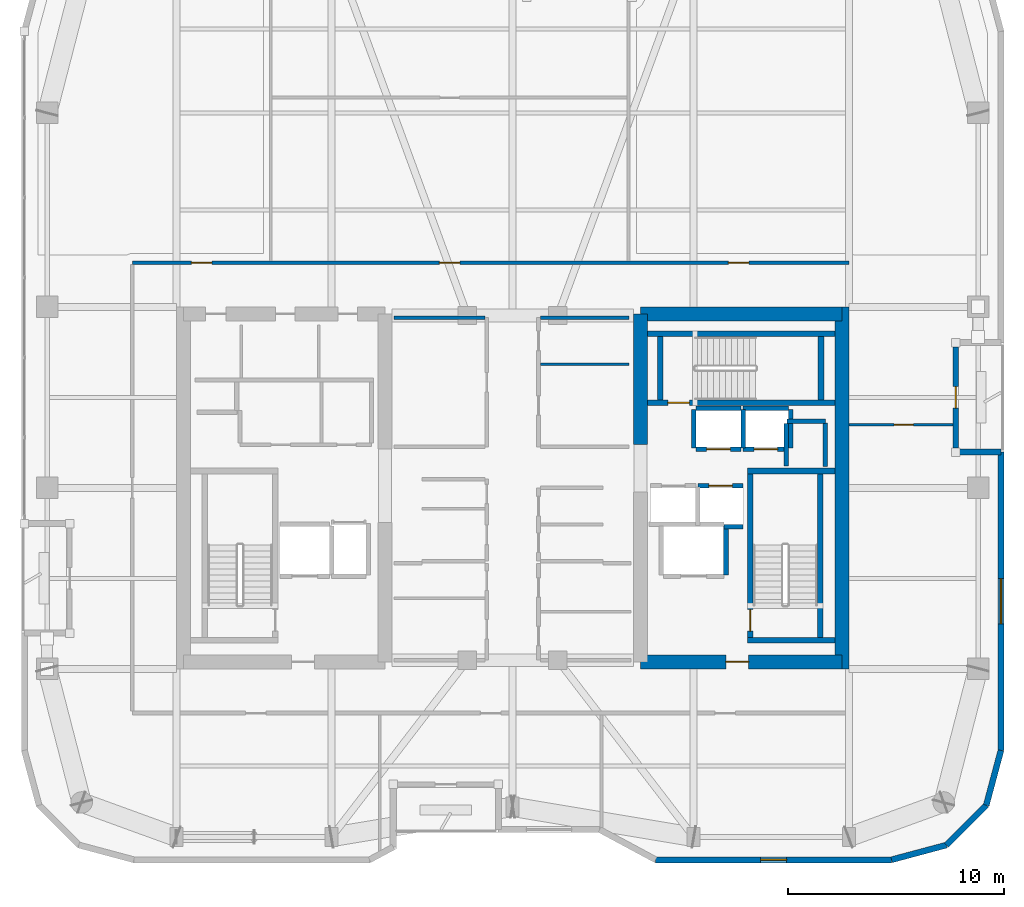
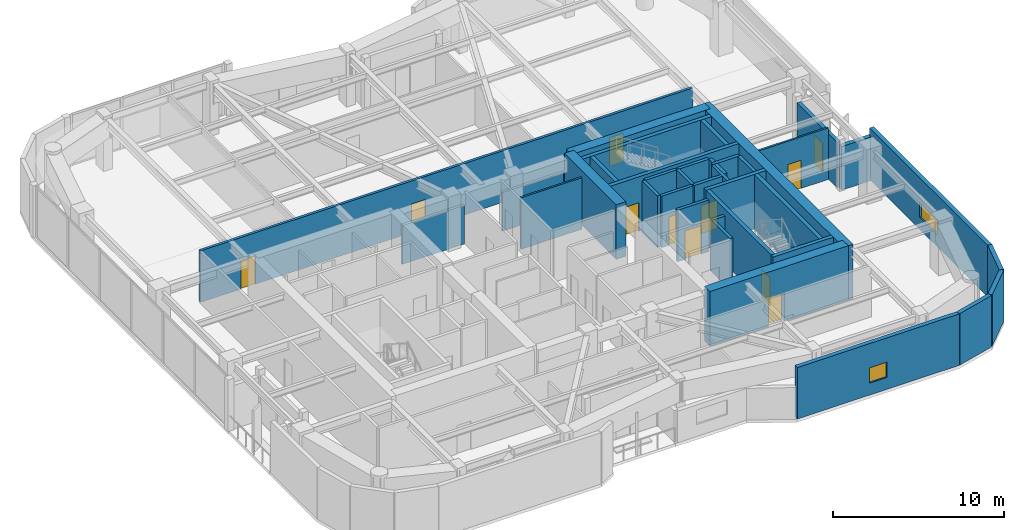
# One storey, part 17 of 21: 37 walls, 11 doors, 2 windows, 13 openings.
"""IFC4 building model written with IfcOpenShell, lengths in metres."""

from ifc_helpers import new_model, si_unit, direction, frame, frame_2d, origin, place, context, subcontext, project, spatial, rectangle, extrude, material, layer, layer_set, type_object, element, fill, save


model = new_model("IFC4")

# Units and contexts
model_context = context("Model", 3, precision=1e-05, world=origin(), true_north=direction((0.0, 1.0)))
body_context = subcontext(model_context, "Body", "Model", "MODEL_VIEW")
ifc_project = project(units=[si_unit("LENGTHUNIT", "METRE"), si_unit("AREAUNIT", "SQUARE_METRE"), si_unit("VOLUMEUNIT", "CUBIC_METRE"), si_unit("PLANEANGLEUNIT", "RADIAN"), si_unit("MASSUNIT", "GRAM", prefix="KILO")], contexts=[model_context])

# Site, building, storey
site_placement = place(None, origin())
site = spatial("IfcSite", under=ifc_project, at=site_placement, CompositionType="ELEMENT")
building_placement = place(site_placement, origin())
building = spatial("IfcBuilding", under=site, at=building_placement, Name="Kiyonajd Concourse Tower", CompositionType="ELEMENT")
storey_placement = place(building_placement, frame((0.0, 0.0, 231.0)))
storey = spatial("IfcBuildingStorey", under=building, at=storey_placement, Name="L58", CompositionType="ELEMENT", Elevation=231.0)

# Walls
ifc_material_1 = material(Name="Concrete C60/75", Category="concrete")
ifc_layer_1 = layer(ifc_material_1, 0.64990234375)
ifc_layer_set_1 = layer_set([ifc_layer_1], Name="Concrete C60/75")
wall_type_1 = type_object("IfcWallType", Name="WL-CORE-650", PredefinedType="SHEAR", material=ifc_layer_set_1)
wall_1_placement = place(storey_placement, frame((53.925048828125, 38.0, 0.0), z_axis=(0.0, 0.0, 1.0), x_axis=(0.0, 1.0, 0.0)))
element("IfcWall", 1, at=wall_1_placement, inside=storey, type_object=wall_type_1, Name="L58 East Core Inner North Shear Wall", PredefinedType="SHEAR", context=body_context, shape_type="SweptSolid", body=[
    extrude(rectangle(XDim=6.074951171875, YDim=0.64990234375, at=frame_2d((3.03759765625, 0.0))), origin(), (0.0, 0.0, 1.0), 3.89990234375),
])
wall_2_placement = place(storey_placement, frame((63.27490234375, 27.60009765625, 0.0), z_axis=(0.0, 0.0, 1.0), x_axis=(0.0, 1.0, 0.0)))
element("IfcWall", 2, at=wall_2_placement, inside=storey, type_object=wall_type_1, Name="L58 East Core Outer Shear Wall", PredefinedType="SHEAR", context=body_context, shape_type="SweptSolid", body=[
    extrude(rectangle(XDim=16.7998046875, YDim=0.64990234375, at=frame_2d((8.39990234375, 0.0))), origin(), (0.0, 0.0, 1.0), 3.89990234375),
])

# Wall, opening, door
wall_3_placement = place(storey_placement, frame((53.925048828125, 27.925048828125, 0.0), z_axis=(0.0, 0.0, 1.0), x_axis=(1.0, 0.0, 0.0)))
wall_3 = element("IfcWall", 3, at=wall_3_placement, inside=storey, type_object=wall_type_1, Name="L58 East Core South Shear Wall", PredefinedType="SHEAR", context=body_context, shape_type="SweptSolid", body=[
    extrude(rectangle(XDim=9.349853515625, YDim=0.64990234375, at=frame_2d((4.6748046875, 0.0))), origin(), (0.0, 0.0, 1.0), 3.89990234375),
])
opening_1_placement = place(wall_3_placement, frame((3.97509765625, 0.0, 0.0)))
opening_1 = element("IfcOpeningElement", 4, at=opening_1_placement, cuts=wall_3, Name="Opening DF5", PredefinedType="OPENING", context=body_context, shape_type="SweptSolid", body=[
    extrude(rectangle(XDim=1.050048828125, YDim=2.0400390625, at=frame_2d((0.52490234375, 1.02001953125))), frame((0.0, 0.3349609375, 0.0), z_axis=(0.0, -1.0, 0.0), x_axis=(1.0, 0.0, 0.0)), (0.0, 0.0, 1.0), 0.669921875),
])
ifc_material_2 = material(Name="Brushed Stainless Steel Cab Assembly", Category="steel")
door_type_1 = type_object("IfcDoorType", Name="DR-FD45-1050", OperationType="NOTDEFINED", PredefinedType="DOOR", material=ifc_material_2)
door_1_placement = place(opening_1_placement, origin())
door_1 = element("IfcDoor", 5, at=door_1_placement, inside=storey, type_object=door_type_1, Name="L58 Firefighting Lift Lobby E Smoke Door", OperationType="SINGLE_SWING_RIGHT", OverallHeight=2.0400390625, OverallWidth=1.050048828125, PredefinedType="DOOR", context=body_context, shape_type="SweptSolid", body=[
    extrude(rectangle(XDim=1.050048828125, YDim=2.0400390625, at=frame_2d((0.52490234375, 1.02001953125))), frame((0.0, 0.02490234375, 0.0), z_axis=(0.0, -1.0, 0.0), x_axis=(1.0, 0.0, 0.0)), (0.0, 0.0, 1.0), 0.050048828125),
])
fill(opening_1, door_1)

# Walls
wall_4_placement = place(storey_placement, frame((53.925048828125, 44.074951171875, 0.0), z_axis=(0.0, 0.0, 1.0), x_axis=(1.0, 0.0, 0.0)))
element("IfcWall", 6, at=wall_4_placement, inside=storey, type_object=wall_type_1, Name="L58 East Core North Shear Wall", PredefinedType="SHEAR", context=body_context, shape_type="SweptSolid", body=[
    extrude(rectangle(XDim=9.349853515625, YDim=0.64990234375, at=frame_2d((4.6748046875, 0.0))), origin(), (0.0, 0.0, 1.0), 3.89990234375),
])
ifc_material_3 = material(Name="Precast concrete C50/60", Category="concrete")
ifc_layer_2 = layer(ifc_material_3, 0.280029296875)
ifc_layer_set_2 = layer_set([ifc_layer_2], Name="Precast concrete C50/60")
wall_type_2 = type_object("IfcWallType", Name="WL-EXT-280", PredefinedType="SOLIDWALL", material=ifc_layer_set_2)
wall_5_placement = place(storey_placement, frame((68.56005859375, 37.659912109375, 0.0), z_axis=(0.0, 0.0, 1.0), x_axis=(1.0, 0.0, 0.0)))
element("IfcWall", 7, at=wall_5_placement, inside=storey, type_object=wall_type_2, Name="L58 Exterior Concrete Frame Wall 23", PredefinedType="SOLIDWALL", context=body_context, shape_type="SweptSolid", body=[
    extrude(rectangle(XDim=2.099853515625, YDim=0.280029296875, at=frame_2d((1.0498046875, 0.0))), origin(), (0.0, 0.0, 1.0), 3.115966796875),
])

# Wall, opening, window
wall_6_placement = place(storey_placement, frame((70.659912109375, 37.659912109375, 0.0), z_axis=(0.0, 0.0, 1.0), x_axis=(0.0, -1.0, 0.0)))
wall_6 = element("IfcWall", 8, at=wall_6_placement, inside=storey, type_object=wall_type_2, Name="L58 Exterior Concrete Frame Wall 24", PredefinedType="SOLIDWALL", context=body_context, shape_type="SweptSolid", body=[
    extrude(rectangle(XDim=13.841552734375, YDim=0.280029296875, at=frame_2d((6.9208984375, 0.0))), origin(), (0.0, 0.0, 1.0), 3.679931640625),
])
opening_2_placement = place(wall_6_placement, frame((5.87109375, 0.0, 0.85009765625)))
opening_2 = element("IfcOpeningElement", 9, at=opening_2_placement, cuts=wall_6, Name="Opening WN5", PredefinedType="OPENING", context=body_context, shape_type="SweptSolid", body=[
    extrude(rectangle(XDim=2.10009765625, YDim=1.050048828125, at=frame_2d((1.050048828125, 0.52490234375))), frame((0.0, 0.14990234375, 0.0), z_axis=(0.0, -1.0, 0.0), x_axis=(1.0, 0.0, 0.0)), (0.0, 0.0, 1.0), 0.300048828125),
])
ifc_material_4 = material(Name="Double Low-E Insulated Glass", Category="glass")
window_type_1 = type_object("IfcWindowType", Name="WN-VIS-2100x1050", PartitioningType="SINGLE_PANEL", PredefinedType="WINDOW", material=ifc_material_4)
window_1_placement = place(opening_2_placement, origin())
window_1 = element("IfcWindow", 10, at=window_1_placement, inside=storey, type_object=window_type_1, Name="L58 Modular Facade Vision Window 24", OverallHeight=1.050048828125, OverallWidth=2.10009765625, PartitioningType="SINGLE_PANEL", PredefinedType="WINDOW", context=body_context, shape_type="SweptSolid", body=[
    extrude(rectangle(XDim=2.10009765625, YDim=1.050048828125, at=frame_2d((1.050048828125, 0.52490234375))), frame((0.0, 0.030029296875, 0.0), z_axis=(0.0, -1.0, 0.0), x_axis=(1.0, 0.0, 0.0)), (0.0, 0.0, 1.0), 0.06005859375),
])
fill(opening_2, window_1)

# Walls
wall_7_placement = place(storey_placement, frame((70.659912109375, 23.818359375, 0.0), z_axis=(0.0, 0.0, 1.0), x_axis=(-0.2588904131, -0.965906700466, 0.0)))
element("IfcWall", 11, at=wall_7_placement, inside=storey, type_object=wall_type_2, Name="L58 Exterior Concrete Frame Wall 25", PredefinedType="SOLIDWALL", context=body_context, shape_type="SweptSolid", body=[
    extrude(rectangle(XDim=2.6357421875, YDim=0.280029296875, at=frame_2d((1.31787109375, 0.0))), origin(), (0.0, 0.0, 1.0), 3.679931640625),
])
wall_8_placement = place(storey_placement, frame((69.9775390625, 21.2724609375, 0.0), z_axis=(0.0, 0.0, 1.0), x_axis=(-0.707153437963, -0.707060121331, 0.0)))
element("IfcWall", 12, at=wall_8_placement, inside=storey, type_object=wall_type_2, Name="L58 Exterior Concrete Frame Wall 26", PredefinedType="SOLIDWALL", context=body_context, shape_type="SweptSolid", body=[
    extrude(rectangle(XDim=2.6162109375, YDim=0.280029296875, at=frame_2d((1.30810546875, 0.0))), origin(), (0.0, 0.0, 1.0), 3.679931640625),
])
wall_9_placement = place(storey_placement, frame((68.12744140625, 19.422607421875, 0.0), z_axis=(0.0, 0.0, 1.0), x_axis=(-0.965883534663, -0.258976828051, 0.0)))
element("IfcWall", 13, at=wall_9_placement, inside=storey, type_object=wall_type_2, Name="L58 Exterior Concrete Frame Wall 27", PredefinedType="SOLIDWALL", context=body_context, shape_type="SweptSolid", body=[
    extrude(rectangle(XDim=2.6357421875, YDim=0.280029296875, at=frame_2d((1.31787109375, 0.0))), origin(), (0.0, 0.0, 1.0), 3.679931640625),
])

# Wall, opening, window
wall_10_placement = place(storey_placement, frame((65.58154296875, 18.739990234375, 0.0), z_axis=(0.0, 0.0, 1.0), x_axis=(-1.0, 0.0, 0.0)))
wall_10 = element("IfcWall", 14, at=wall_10_placement, inside=storey, type_object=wall_type_2, Name="L58 Exterior Concrete Frame Wall 28", PredefinedType="SOLIDWALL", context=body_context, shape_type="SweptSolid", body=[
    extrude(rectangle(XDim=10.9462890625, YDim=0.280029296875, at=frame_2d((5.47314453125, 0.0))), origin(), (0.0, 0.0, 1.0), 3.679931640625),
])
opening_3_placement = place(wall_10_placement, frame((4.873046875, 0.0, 0.85009765625)))
opening_3 = element("IfcOpeningElement", 15, at=opening_3_placement, cuts=wall_10, Name="Opening WN3", PredefinedType="OPENING", context=body_context, shape_type="SweptSolid", body=[
    extrude(rectangle(XDim=1.199951171875, YDim=1.10009765625, at=frame_2d((0.60009765625, 0.550048828125))), frame((0.0, 0.14990234375, 0.0), z_axis=(0.0, -1.0, 0.0), x_axis=(1.0, 0.0, 0.0)), (0.0, 0.0, 1.0), 0.300048828125),
])
window_type_2 = type_object("IfcWindowType", Name="WN-VIS-1200x1100", PartitioningType="SINGLE_PANEL", PredefinedType="WINDOW", material=ifc_material_4)
window_2_placement = place(opening_3_placement, origin())
window_2 = element("IfcWindow", 16, at=window_2_placement, inside=storey, type_object=window_type_2, Name="L58 Modular Facade Vision Window 28", OverallHeight=1.10009765625, OverallWidth=1.199951171875, PartitioningType="SINGLE_PANEL", PredefinedType="WINDOW", context=body_context, shape_type="SweptSolid", body=[
    extrude(rectangle(XDim=1.199951171875, YDim=1.10009765625, at=frame_2d((0.60009765625, 0.550048828125))), frame((0.0, 0.030029296875, 0.0), z_axis=(0.0, -1.0, 0.0), x_axis=(1.0, 0.0, 0.0)), (0.0, 0.0, 1.0), 0.06005859375),
])
fill(opening_3, window_2)

# Wall, opening, door
ifc_layer_3 = layer(ifc_material_3, 0.239990234375)
ifc_layer_set_3 = layer_set([ifc_layer_3], Name="Precast concrete C50/60")
wall_type_3 = type_object("IfcWallType", Name="WL-LOG-240", PredefinedType="SOLIDWALL", material=ifc_layer_set_3)
wall_11_placement = place(storey_placement, frame((68.56005859375, 42.544921875, 0.0), z_axis=(0.0, 0.0, 1.0), x_axis=(0.0, -1.0, 0.0)))
wall_11 = element("IfcWall", 17, at=wall_11_placement, inside=storey, type_object=wall_type_3, Name="L58 Recessed Loggia Thermal Wall LOG-E", PredefinedType="SOLIDWALL", context=body_context, shape_type="SweptSolid", body=[
    extrude(rectangle(XDim=4.68994140625, YDim=0.239990234375, at=frame_2d((2.344970703125, 0.0))), origin(), (0.0, 0.0, 1.0), 3.248046875),
])
opening_4_placement = place(wall_11_placement, frame((1.844970703125, 0.0, 0.0)))
opening_4 = element("IfcOpeningElement", 18, at=opening_4_placement, cuts=wall_11, Name="Opening DL1", PredefinedType="OPENING", context=body_context, shape_type="SweptSolid", body=[
    extrude(rectangle(XDim=1.0, YDim=2.02001953125, at=frame_2d((0.5, 1.010009765625))), frame((0.0, 0.1298828125, 0.0), z_axis=(0.0, -1.0, 0.0), x_axis=(1.0, 0.0, 0.0)), (0.0, 0.0, 1.0), 0.260009765625),
])
ifc_material_5 = material(Name="Thermally Broken Anodised Aluminium", Category="aluminium")
door_type_2 = type_object("IfcDoorType", Name="DR-LOG-1000", OperationType="NOTDEFINED", PredefinedType="DOOR", material=ifc_material_5)
door_2_placement = place(opening_4_placement, origin())
door_2 = element("IfcDoor", 19, at=door_2_placement, inside=storey, type_object=door_type_2, Name="L58 Engawa Loggia Access Door LOG-E", OperationType="SINGLE_SWING_LEFT", OverallHeight=2.02001953125, OverallWidth=1.0, PredefinedType="DOOR", context=body_context, shape_type="SweptSolid", body=[
    extrude(rectangle(XDim=1.0, YDim=2.02001953125, at=frame_2d((0.5, 1.010009765625))), frame((0.0, 0.02490234375, 0.0), z_axis=(0.0, -1.0, 0.0), x_axis=(1.0, 0.0, 0.0)), (0.0, 0.0, 1.0), 0.050048828125),
])
fill(opening_4, door_2)

# Wall
ifc_material_6 = material(Name="Gypsum Board on Cold-Formed Steel Stud", Category="steel")
ifc_layer_4 = layer(ifc_material_6, 0.125)
ifc_layer_set_4 = layer_set([ifc_layer_4], Name="Gypsum Board on Cold-Formed Steel Stud")
wall_type_4 = type_object("IfcWallType", Name="WL-PART-125", PredefinedType="PARTITIONING", material=ifc_layer_set_4)
wall_12_placement = place(storey_placement, frame((49.287109375, 41.739990234375, 0.0), z_axis=(0.0, 0.0, 1.0), x_axis=(1.0, 0.0, 0.0)))
element("IfcWall", 20, at=wall_12_placement, inside=storey, type_object=wall_type_4, Name="L58 Interior Partition Wall", PredefinedType="PARTITIONING", context=body_context, shape_type="SweptSolid", body=[
    extrude(rectangle(XDim=4.11279296875, YDim=0.125, at=frame_2d((2.056396484375, 0.0))), origin(), (0.0, 0.0, 1.0), 3.679931640625),
])

# Wall, opening, door
wall_13_placement = place(storey_placement, frame((63.60009765625, 38.929931640625, 0.0), z_axis=(0.0, 0.0, 1.0), x_axis=(1.0, 0.0, 0.0)))
wall_13 = element("IfcWall", 21, at=wall_13_placement, inside=storey, type_object=wall_type_4, Name="L58 Interior Partition Wall", PredefinedType="PARTITIONING", context=body_context, shape_type="SweptSolid", body=[
    extrude(rectangle(XDim=4.844970703125, YDim=0.125, at=frame_2d((2.42236328125, 0.0))), origin(), (0.0, 0.0, 1.0), 3.679931640625),
])
opening_5_placement = place(wall_13_placement, frame((2.10009765625, 0.0, 0.0)))
opening_5 = element("IfcOpeningElement", 22, at=opening_5_placement, cuts=wall_13, Name="Opening DI2", PredefinedType="OPENING", context=body_context, shape_type="SweptSolid", body=[
    extrude(rectangle(XDim=0.89990234375, YDim=2.02001953125, at=frame_2d((0.449951171875, 1.010009765625))), frame((0.0, 0.072509765625, 0.0), z_axis=(0.0, -1.0, 0.0), x_axis=(1.0, 0.0, 0.0)), (0.0, 0.0, 1.0), 0.14501953125),
])
ifc_material_7 = material(Name="Natural Oak Acoustic Timber Veneer", Category="wood")
door_type_3 = type_object("IfcDoorType", Name="DR-INT-900", OperationType="NOTDEFINED", PredefinedType="DOOR", material=ifc_material_7)
door_3_placement = place(opening_5_placement, origin())
door_3 = element("IfcDoor", 23, at=door_3_placement, inside=storey, type_object=door_type_3, Name="L58 Interior Door", OperationType="SINGLE_SWING_LEFT", OverallHeight=2.02001953125, OverallWidth=0.89990234375, PredefinedType="DOOR", context=body_context, shape_type="SweptSolid", body=[
    extrude(rectangle(XDim=0.89990234375, YDim=2.02001953125, at=frame_2d((0.449951171875, 1.010009765625))), frame((0.0, 0.02490234375, 0.0), z_axis=(0.0, -1.0, 0.0), x_axis=(1.0, 0.0, 0.0)), (0.0, 0.0, 1.0), 0.050048828125),
])
fill(opening_5, door_3)

# Walls
ifc_layer_5 = layer(ifc_material_6, 0.2099609375)
ifc_layer_set_5 = layer_set([ifc_layer_5], Name="Gypsum Board on Cold-Formed Steel Stud")
wall_type_5 = type_object("IfcWallType", Name="WL-SHAFT-210", PredefinedType="PARTITIONING", material=ifc_layer_set_5)
wall_14_placement = place(storey_placement, frame((60.719970703125, 39.10009765625, 0.0), z_axis=(0.0, 0.0, 1.0), x_axis=(1.0, 0.0, 0.0)))
element("IfcWall", 24, at=wall_14_placement, inside=storey, type_object=wall_type_5, Name="L58 Shaft Enclosure Wall", PredefinedType="PARTITIONING", context=body_context, shape_type="SweptSolid", body=[
    extrude(rectangle(XDim=1.800048828125, YDim=0.2099609375, at=frame_2d((0.89990234375, 0.0))), origin(), (0.0, 0.0, 1.0), 3.679931640625),
])
wall_15_placement = place(storey_placement, frame((60.699951171875, 37.02001953125, 0.0), z_axis=(0.0, 0.0, 1.0), x_axis=(0.0, 1.0, 0.0)))
element("IfcWall", 25, at=wall_15_placement, inside=storey, type_object=wall_type_5, Name="L58 Shaft Enclosure Wall", PredefinedType="PARTITIONING", context=body_context, shape_type="SweptSolid", body=[
    extrude(rectangle(XDim=1.9599609375, YDim=0.2099609375, at=frame_2d((0.97998046875, 0.0))), origin(), (0.0, 0.0, 1.0), 3.679931640625),
])
wall_16_placement = place(storey_placement, frame((62.5, 36.97998046875, 0.0), z_axis=(0.0, 0.0, 1.0), x_axis=(0.0, 1.0, 0.0)))
element("IfcWall", 26, at=wall_16_placement, inside=storey, type_object=wall_type_5, Name="L58 Shaft Enclosure Wall", PredefinedType="PARTITIONING", context=body_context, shape_type="SweptSolid", body=[
    extrude(rectangle(XDim=2.0400390625, YDim=0.2099609375, at=frame_2d((1.02001953125, 0.0))), origin(), (0.0, 0.0, 1.0), 3.679931640625),
])
wall_17_placement = place(storey_placement, frame((57.89990234375, 31.9599609375, 0.0), z_axis=(0.0, 0.0, 1.0), x_axis=(0.0, 1.0, 0.0)))
element("IfcWall", 27, at=wall_17_placement, inside=storey, type_object=wall_type_5, Name="L58 Shaft Enclosure Wall", PredefinedType="PARTITIONING", context=body_context, shape_type="SweptSolid", body=[
    extrude(rectangle(XDim=2.280029296875, YDim=0.2099609375, at=frame_2d((1.14013671875, 0.0))), origin(), (0.0, 0.0, 1.0), 3.679931640625),
])

# Wall, opening, door
wall_18_placement = place(storey_placement, frame((56.60009765625, 36.10009765625, 0.0), z_axis=(0.0, 0.0, 1.0), x_axis=(1.0, 0.0, 0.0)))
wall_18 = element("IfcWall", 28, at=wall_18_placement, inside=storey, type_object=wall_type_5, Name="L58 Shaft Enclosure Wall", PredefinedType="PARTITIONING", context=body_context, shape_type="SweptSolid", body=[
    extrude(rectangle(XDim=2.099853515625, YDim=0.2099609375, at=frame_2d((1.0498046875, 0.0))), origin(), (0.0, 0.0, 1.0), 3.679931640625),
])
opening_6_placement = place(wall_18_placement, frame((0.5, 0.0, 0.0)))
opening_6 = element("IfcOpeningElement", 29, at=opening_6_placement, cuts=wall_18, Name="Opening LD1", PredefinedType="OPENING", context=body_context, shape_type="SweptSolid", body=[
    extrude(rectangle(XDim=1.10009765625, YDim=2.0400390625, at=frame_2d((0.550048828125, 1.02001953125))), frame((0.0, 0.114990234375, 0.0), z_axis=(0.0, -1.0, 0.0), x_axis=(1.0, 0.0, 0.0)), (0.0, 0.0, 1.0), 0.22998046875),
])
door_type_4 = type_object("IfcDoorType", Name="DR-LD-1100", OperationType="DOUBLE_DOOR_SLIDING", PredefinedType="DOOR", material=ifc_material_2)
door_4_placement = place(opening_6_placement, origin())
door_4 = element("IfcDoor", 30, at=door_4_placement, inside=storey, type_object=door_type_4, Name="L58 Lift PL-H2 Sliding Landing Door", OperationType="DOUBLE_DOOR_SLIDING", OverallHeight=2.0400390625, OverallWidth=1.10009765625, PredefinedType="DOOR", context=body_context, shape_type="SweptSolid", body=[
    extrude(rectangle(XDim=1.10009765625, YDim=2.0400390625, at=frame_2d((0.550048828125, 1.02001953125))), frame((0.0, 0.02490234375, 0.0), z_axis=(0.0, -1.0, 0.0), x_axis=(1.0, 0.0, 0.0)), (0.0, 0.0, 1.0), 0.050048828125),
])
fill(opening_6, door_4)

# Wall
wall_19_placement = place(storey_placement, frame((57.800048828125, 34.199951171875, 0.0), z_axis=(0.0, 0.0, 1.0), x_axis=(1.0, 0.0, 0.0)))
element("IfcWall", 31, at=wall_19_placement, inside=storey, type_object=wall_type_5, Name="L58 Shaft Enclosure Wall", PredefinedType="PARTITIONING", context=body_context, shape_type="SweptSolid", body=[
    extrude(rectangle(XDim=0.89990234375, YDim=0.2099609375, at=frame_2d((0.449951171875, 0.0))), origin(), (0.0, 0.0, 1.0), 3.679931640625),
])

# Wall, opening, door
wall_20_placement = place(storey_placement, frame((56.5, 37.800048828125, 0.0), z_axis=(0.0, 0.0, 1.0), x_axis=(1.0, 0.0, 0.0)))
wall_20 = element("IfcWall", 32, at=wall_20_placement, inside=storey, type_object=wall_type_5, Name="L58 Shaft Enclosure Wall", PredefinedType="PARTITIONING", context=body_context, shape_type="SweptSolid", body=[
    extrude(rectangle(XDim=2.10009765625, YDim=0.2099609375, at=frame_2d((1.050048828125, 0.0))), origin(), (0.0, 0.0, 1.0), 3.679931640625),
])
opening_7_placement = place(wall_20_placement, frame((0.5, 0.0, 0.0)))
opening_7 = element("IfcOpeningElement", 33, at=opening_7_placement, cuts=wall_20, Name="Opening LD1", PredefinedType="OPENING", context=body_context, shape_type="SweptSolid", body=[
    extrude(rectangle(XDim=1.10009765625, YDim=2.0400390625, at=frame_2d((0.550048828125, 1.02001953125))), frame((0.0, 0.114990234375, 0.0), z_axis=(0.0, -1.0, 0.0), x_axis=(1.0, 0.0, 0.0)), (0.0, 0.0, 1.0), 0.22998046875),
])
door_5_placement = place(opening_7_placement, origin())
door_5 = element("IfcDoor", 34, at=door_5_placement, inside=storey, type_object=door_type_4, Name="L58 Lift PL-H3 Sliding Landing Door", OperationType="DOUBLE_DOOR_SLIDING", OverallHeight=2.0400390625, OverallWidth=1.10009765625, PredefinedType="DOOR", context=body_context, shape_type="SweptSolid", body=[
    extrude(rectangle(XDim=1.10009765625, YDim=2.0400390625, at=frame_2d((0.550048828125, 1.02001953125))), frame((0.0, 0.02490234375, 0.0), z_axis=(0.0, -1.0, 0.0), x_axis=(1.0, 0.0, 0.0)), (0.0, 0.0, 1.0), 0.050048828125),
])
fill(opening_7, door_5)

# Walls
wall_21_placement = place(storey_placement, frame((56.5, 39.699951171875, 0.0), z_axis=(0.0, 0.0, 1.0), x_axis=(1.0, 0.0, 0.0)))
element("IfcWall", 35, at=wall_21_placement, inside=storey, type_object=wall_type_5, Name="L58 Shaft Enclosure Wall", PredefinedType="PARTITIONING", context=body_context, shape_type="SweptSolid", body=[
    extrude(rectangle(XDim=2.10009765625, YDim=0.2099609375, at=frame_2d((1.050048828125, 0.0))), origin(), (0.0, 0.0, 1.0), 3.679931640625),
])
for number, where, z_axis, x_axis, name in (
    (36, (56.39990234375, 37.860107421875, 0.0), (0.0, 0.0, 1.0), (0.0, 1.0, 0.0), "L58 Shaft Enclosure Wall"),
    (37, (58.699951171875, 37.860107421875, 0.0), (0.0, 0.0, 1.0), (0.0, 1.0, 0.0), "L58 Shaft Enclosure Wall"),
):
    element("IfcWall", number, at=place(storey_placement, frame(where, z_axis=z_axis, x_axis=x_axis)), inside=storey, type_object=wall_type_5, Name=name, PredefinedType="PARTITIONING", context=body_context, shape_type="SweptSolid", body=[
        extrude(rectangle(XDim=1.77978515625, YDim=0.2099609375, at=frame_2d((0.889892578125, 0.0))), origin(), (0.0, 0.0, 1.0), 3.679931640625),
    ])

# Wall, opening, door
wall_22_placement = place(storey_placement, frame((58.699951171875, 37.800048828125, 0.0), z_axis=(0.0, 0.0, 1.0), x_axis=(1.0, 0.0, 0.0)))
wall_22 = element("IfcWall", 38, at=wall_22_placement, inside=storey, type_object=wall_type_5, Name="L58 Shaft Enclosure Wall", PredefinedType="PARTITIONING", context=body_context, shape_type="SweptSolid", body=[
    extrude(rectangle(XDim=2.10009765625, YDim=0.2099609375, at=frame_2d((1.050048828125, 0.0))), origin(), (0.0, 0.0, 1.0), 3.679931640625),
])
opening_8_placement = place(wall_22_placement, frame((0.5, 0.0, 0.0)))
opening_8 = element("IfcOpeningElement", 39, at=opening_8_placement, cuts=wall_22, Name="Opening LD1", PredefinedType="OPENING", context=body_context, shape_type="SweptSolid", body=[
    extrude(rectangle(XDim=1.10009765625, YDim=2.0400390625, at=frame_2d((0.550048828125, 1.02001953125))), frame((0.0, 0.114990234375, 0.0), z_axis=(0.0, -1.0, 0.0), x_axis=(1.0, 0.0, 0.0)), (0.0, 0.0, 1.0), 0.22998046875),
])
door_6_placement = place(opening_8_placement, origin())
door_6 = element("IfcDoor", 40, at=door_6_placement, inside=storey, type_object=door_type_4, Name="L58 Lift PL-H4 Sliding Landing Door", OperationType="DOUBLE_DOOR_SLIDING", OverallHeight=2.0400390625, OverallWidth=1.10009765625, PredefinedType="DOOR", context=body_context, shape_type="SweptSolid", body=[
    extrude(rectangle(XDim=1.10009765625, YDim=2.0400390625, at=frame_2d((0.550048828125, 1.02001953125))), frame((0.0, 0.02490234375, 0.0), z_axis=(0.0, -1.0, 0.0), x_axis=(1.0, 0.0, 0.0)), (0.0, 0.0, 1.0), 0.050048828125),
])
fill(opening_8, door_6)

# Walls
wall_23_placement = place(storey_placement, frame((58.699951171875, 39.699951171875, 0.0), z_axis=(0.0, 0.0, 1.0), x_axis=(1.0, 0.0, 0.0)))
element("IfcWall", 41, at=wall_23_placement, inside=storey, type_object=wall_type_5, Name="L58 Shaft Enclosure Wall", PredefinedType="PARTITIONING", context=body_context, shape_type="SweptSolid", body=[
    extrude(rectangle(XDim=2.10009765625, YDim=0.2099609375, at=frame_2d((1.050048828125, 0.0))), origin(), (0.0, 0.0, 1.0), 3.679931640625),
])
wall_24_placement = place(storey_placement, frame((60.89990234375, 37.860107421875, 0.0), z_axis=(0.0, 0.0, 1.0), x_axis=(0.0, 1.0, 0.0)))
element("IfcWall", 42, at=wall_24_placement, inside=storey, type_object=wall_type_5, Name="L58 Shaft Enclosure Wall", PredefinedType="PARTITIONING", context=body_context, shape_type="SweptSolid", body=[
    extrude(rectangle(XDim=1.77978515625, YDim=0.2099609375, at=frame_2d((0.889892578125, 0.0))), origin(), (0.0, 0.0, 1.0), 3.679931640625),
])
ifc_layer_6 = layer(ifc_material_6, 0.169921875)
ifc_layer_set_6 = layer_set([ifc_layer_6], Name="Gypsum Board on Cold-Formed Steel Stud")
wall_type_6 = type_object("IfcWallType", Name="WL-SMK-170", PredefinedType="PARTITIONING", material=ifc_layer_set_6)
wall_25_placement = place(storey_placement, frame((42.5, 43.89990234375, 0.0), z_axis=(0.0, 0.0, 1.0), x_axis=(1.0, 0.0, 0.0)))
element("IfcWall", 43, at=wall_25_placement, inside=storey, type_object=wall_type_6, Name="L58 Interior Partition Wall", PredefinedType="PARTITIONING", context=body_context, shape_type="SweptSolid", body=[
    extrude(rectangle(XDim=4.212890625, YDim=0.169921875, at=frame_2d((2.1064453125, 0.0))), origin(), (0.0, 0.0, 1.0), 2.764892578125),
])
wall_26_placement = place(storey_placement, frame((49.287109375, 43.89990234375, 0.0), z_axis=(0.0, 0.0, 1.0), x_axis=(1.0, 0.0, 0.0)))
element("IfcWall", 44, at=wall_26_placement, inside=storey, type_object=wall_type_6, Name="L58 Interior Partition Wall", PredefinedType="PARTITIONING", context=body_context, shape_type="SweptSolid", body=[
    extrude(rectangle(XDim=4.11279296875, YDim=0.169921875, at=frame_2d((2.056396484375, 0.0))), origin(), (0.0, 0.0, 1.0), 2.764892578125),
])

# Wall, openings, doors
wall_27_placement = place(storey_placement, frame((30.35009765625, 46.449951171875, 0.0), z_axis=(0.0, 0.0, 1.0), x_axis=(1.0, 0.0, 0.0)))
wall_27 = element("IfcWall", 45, at=wall_27_placement, inside=storey, type_object=wall_type_6, Name="L58 Interior Partition Wall", PredefinedType="PARTITIONING", context=body_context, shape_type="SweptSolid", body=[
    extrude(rectangle(XDim=33.25, YDim=0.169921875, at=frame_2d((16.625, 0.0))), origin(), (0.0, 0.0, 1.0), 3.679931640625),
])
opening_9_placement = place(wall_27_placement, frame((2.739990234375, 0.0, 0.0)))
opening_9 = element("IfcOpeningElement", 46, at=opening_9_placement, cuts=wall_27, Name="Opening DI1", PredefinedType="OPENING", context=body_context, shape_type="SweptSolid", body=[
    extrude(rectangle(XDim=0.949951171875, YDim=2.0400390625, at=frame_2d((0.47509765625, 1.02001953125))), frame((0.0, 0.094970703125, 0.0), z_axis=(0.0, -1.0, 0.0), x_axis=(1.0, 0.0, 0.0)), (0.0, 0.0, 1.0), 0.18994140625),
])
opening_10_placement = place(wall_27_placement, frame((14.2548828125, 0.0, 0.0)))
opening_10 = element("IfcOpeningElement", 47, at=opening_10_placement, cuts=wall_27, Name="Opening DI1", PredefinedType="OPENING", context=body_context, shape_type="SweptSolid", body=[
    extrude(rectangle(XDim=0.949951171875, YDim=2.0400390625, at=frame_2d((0.47509765625, 1.02001953125))), frame((0.0, 0.094970703125, 0.0), z_axis=(0.0, -1.0, 0.0), x_axis=(1.0, 0.0, 0.0)), (0.0, 0.0, 1.0), 0.18994140625),
])
opening_11_placement = place(wall_27_placement, frame((27.6650390625, 0.0, 0.0)))
opening_11 = element("IfcOpeningElement", 48, at=opening_11_placement, cuts=wall_27, Name="Opening DI1", PredefinedType="OPENING", context=body_context, shape_type="SweptSolid", body=[
    extrude(rectangle(XDim=0.949951171875, YDim=2.0400390625, at=frame_2d((0.47509765625, 1.02001953125))), frame((0.0, 0.094970703125, 0.0), z_axis=(0.0, -1.0, 0.0), x_axis=(1.0, 0.0, 0.0)), (0.0, 0.0, 1.0), 0.18994140625),
])
door_type_5 = type_object("IfcDoorType", Name="DR-INT-950", OperationType="NOTDEFINED", PredefinedType="DOOR", material=ifc_material_7)
door_7_placement = place(opening_9_placement, origin())
door_7 = element("IfcDoor", 49, at=door_7_placement, inside=storey, type_object=door_type_5, Name="L58 Interior Door", OperationType="SINGLE_SWING_RIGHT", OverallHeight=2.0400390625, OverallWidth=0.949951171875, PredefinedType="DOOR", context=body_context, shape_type="SweptSolid", body=[
    extrude(rectangle(XDim=0.949951171875, YDim=2.0400390625, at=frame_2d((0.47509765625, 1.02001953125))), frame((0.0, 0.02490234375, 0.0), z_axis=(0.0, -1.0, 0.0), x_axis=(1.0, 0.0, 0.0)), (0.0, 0.0, 1.0), 0.050048828125),
])
fill(opening_9, door_7)
door_8_placement = place(opening_10_placement, origin())
door_8 = element("IfcDoor", 50, at=door_8_placement, inside=storey, type_object=door_type_5, Name="L58 Interior Door", OperationType="SINGLE_SWING_RIGHT", OverallHeight=2.0400390625, OverallWidth=0.949951171875, PredefinedType="DOOR", context=body_context, shape_type="SweptSolid", body=[
    extrude(rectangle(XDim=0.949951171875, YDim=2.0400390625, at=frame_2d((0.47509765625, 1.02001953125))), frame((0.0, 0.02490234375, 0.0), z_axis=(0.0, -1.0, 0.0), x_axis=(1.0, 0.0, 0.0)), (0.0, 0.0, 1.0), 0.050048828125),
])
fill(opening_10, door_8)
door_9_placement = place(opening_11_placement, origin())
door_9 = element("IfcDoor", 51, at=door_9_placement, inside=storey, type_object=door_type_5, Name="L58 Interior Door", OperationType="SINGLE_SWING_LEFT", OverallHeight=2.0400390625, OverallWidth=0.949951171875, PredefinedType="DOOR", context=body_context, shape_type="SweptSolid", body=[
    extrude(rectangle(XDim=0.949951171875, YDim=2.0400390625, at=frame_2d((0.47509765625, 1.02001953125))), frame((0.0, 0.02490234375, 0.0), z_axis=(0.0, -1.0, 0.0), x_axis=(1.0, 0.0, 0.0)), (0.0, 0.0, 1.0), 0.050048828125),
])
fill(opening_11, door_9)

# Walls
ifc_material_8 = material(Name="Concrete C50/60", Category="concrete")
ifc_layer_7 = layer(ifc_material_8, 0.260009765625)
ifc_layer_set_7 = layer_set([ifc_layer_7], Name="Concrete C50/60")
wall_type_7 = type_object("IfcWallType", Name="WL-STAIR-260", PredefinedType="SHEAR", material=ifc_layer_set_7)
for number, where, z_axis, x_axis, name in (
    (52, (58.889892578125, 28.919921875, 0.0), (0.0, 0.0, 1.0), (1.0, 0.0, 0.0), "L58 Stair ST2 Structural South Wall"),
    (53, (58.889892578125, 36.780029296875, 0.0), (0.0, 0.0, 1.0), (1.0, 0.0, 0.0), "L58 Stair ST2 Structural North Wall"),
):
    element("IfcWall", number, at=place(storey_placement, frame(where, z_axis=z_axis, x_axis=x_axis)), inside=storey, type_object=wall_type_7, Name=name, PredefinedType="SHEAR", context=body_context, shape_type="SweptSolid", body=[
        extrude(rectangle(XDim=4.06005859375, YDim=0.260009765625, at=frame_2d((2.030029296875, 0.0))), origin(), (0.0, 0.0, 1.0), 3.89990234375),
    ])

# Wall, opening, door
wall_28_placement = place(storey_placement, frame((59.02001953125, 29.050048828125, 0.0), z_axis=(0.0, 0.0, 1.0), x_axis=(0.0, 1.0, 0.0)))
wall_28 = element("IfcWall", 54, at=wall_28_placement, inside=storey, type_object=wall_type_7, Name="L58 Stair ST2 Structural West Wall", PredefinedType="SHEAR", context=body_context, shape_type="SweptSolid", body=[
    extrude(rectangle(XDim=7.599853515625, YDim=0.260009765625, at=frame_2d((3.7998046875, 0.0))), origin(), (0.0, 0.0, 1.0), 3.89990234375),
])
opening_12_placement = place(wall_28_placement, frame((0.300048828125, 0.0, 0.0)))
opening_12 = element("IfcOpeningElement", 55, at=opening_12_placement, cuts=wall_28, Name="Opening DF1", PredefinedType="OPENING", context=body_context, shape_type="SweptSolid", body=[
    extrude(rectangle(XDim=1.0, YDim=2.0400390625, at=frame_2d((0.5, 1.02001953125))), frame((0.0, 0.139892578125, 0.0), z_axis=(0.0, -1.0, 0.0), x_axis=(1.0, 0.0, 0.0)), (0.0, 0.0, 1.0), 0.280029296875),
])
door_type_6 = type_object("IfcDoorType", Name="DR-FD90-1000", OperationType="NOTDEFINED", PredefinedType="DOOR", material=ifc_material_2)
door_10_placement = place(opening_12_placement, origin())
door_10 = element("IfcDoor", 56, at=door_10_placement, inside=storey, type_object=door_type_6, Name="L58 Stair ST2 FSAE Door", OperationType="SINGLE_SWING_RIGHT", OverallHeight=2.0400390625, OverallWidth=1.0, PredefinedType="DOOR", context=body_context, shape_type="SweptSolid", body=[
    extrude(rectangle(XDim=1.0, YDim=2.0400390625, at=frame_2d((0.5, 1.02001953125))), frame((0.0, 0.02490234375, 0.0), z_axis=(0.0, -1.0, 0.0), x_axis=(1.0, 0.0, 0.0)), (0.0, 0.0, 1.0), 0.050048828125),
])
fill(opening_12, door_10)

# Wall
wall_29_placement = place(storey_placement, frame((62.280029296875, 29.050048828125, 0.0), z_axis=(0.0, 0.0, 1.0), x_axis=(0.0, 1.0, 0.0)))
element("IfcWall", 57, at=wall_29_placement, inside=storey, type_object=wall_type_7, Name="L58 Stair ST2 Structural East Wall", PredefinedType="SHEAR", context=body_context, shape_type="SweptSolid", body=[
    extrude(rectangle(XDim=7.599853515625, YDim=0.260009765625, at=frame_2d((3.7998046875, 0.0))), origin(), (0.0, 0.0, 1.0), 3.89990234375),
])

# Wall, opening, door
wall_30_placement = place(storey_placement, frame((54.25, 39.949951171875, 0.0), z_axis=(0.0, 0.0, 1.0), x_axis=(1.0, 0.0, 0.0)))
wall_30 = element("IfcWall", 58, at=wall_30_placement, inside=storey, type_object=wall_type_7, Name="L58 Stair ST3 Structural South Wall", PredefinedType="SHEAR", context=body_context, shape_type="SweptSolid", body=[
    extrude(rectangle(XDim=8.699951171875, YDim=0.260009765625, at=frame_2d((4.35009765625, 0.0))), origin(), (0.0, 0.0, 1.0), 3.89990234375),
])
opening_13_placement = place(wall_30_placement, frame((0.949951171875, 0.0, 0.0)))
opening_13 = element("IfcOpeningElement", 59, at=opening_13_placement, cuts=wall_30, Name="Opening DF1", PredefinedType="OPENING", context=body_context, shape_type="SweptSolid", body=[
    extrude(rectangle(XDim=1.0, YDim=2.0400390625, at=frame_2d((0.5, 1.02001953125))), frame((0.0, 0.139892578125, 0.0), z_axis=(0.0, -1.0, 0.0), x_axis=(1.0, 0.0, 0.0)), (0.0, 0.0, 1.0), 0.280029296875),
])
door_11_placement = place(opening_13_placement, origin())
door_11 = element("IfcDoor", 60, at=door_11_placement, inside=storey, type_object=door_type_6, Name="L58 Stair ST3 Enclosure Door", OperationType="SINGLE_SWING_LEFT", OverallHeight=2.0400390625, OverallWidth=1.0, PredefinedType="DOOR", context=body_context, shape_type="SweptSolid", body=[
    extrude(rectangle(XDim=1.0, YDim=2.0400390625, at=frame_2d((0.5, 1.02001953125))), frame((0.0, 0.02490234375, 0.0), z_axis=(0.0, -1.0, 0.0), x_axis=(1.0, 0.0, 0.0)), (0.0, 0.0, 1.0), 0.050048828125),
])
fill(opening_13, door_11)

# Walls
wall_31_placement = place(storey_placement, frame((54.25, 43.14990234375, 0.0), z_axis=(0.0, 0.0, 1.0), x_axis=(1.0, 0.0, 0.0)))
element("IfcWall", 61, at=wall_31_placement, inside=storey, type_object=wall_type_7, Name="L58 Stair ST3 Structural North Wall", PredefinedType="SHEAR", context=body_context, shape_type="SweptSolid", body=[
    extrude(rectangle(XDim=8.699951171875, YDim=0.260009765625, at=frame_2d((4.35009765625, 0.0))), origin(), (0.0, 0.0, 1.0), 3.89990234375),
])
for number, where, z_axis, x_axis, name in (
    (62, (54.85009765625, 40.080078125, 0.0), (0.0, 0.0, 1.0), (0.0, 1.0, 0.0), "L58 Stair ST3 Structural West Wall"),
    (63, (62.31005859375, 40.080078125, 0.0), (0.0, 0.0, 1.0), (0.0, 1.0, 0.0), "L58 Stair ST3 Structural East Wall"),
):
    element("IfcWall", number, at=place(storey_placement, frame(where, z_axis=z_axis, x_axis=x_axis)), inside=storey, type_object=wall_type_7, Name=name, PredefinedType="SHEAR", context=body_context, shape_type="SweptSolid", body=[
        extrude(rectangle(XDim=2.93994140625, YDim=0.260009765625, at=frame_2d((1.469970703125, 0.0))), origin(), (0.0, 0.0, 1.0), 3.89990234375),
    ])

save(model, "model.ifc")
